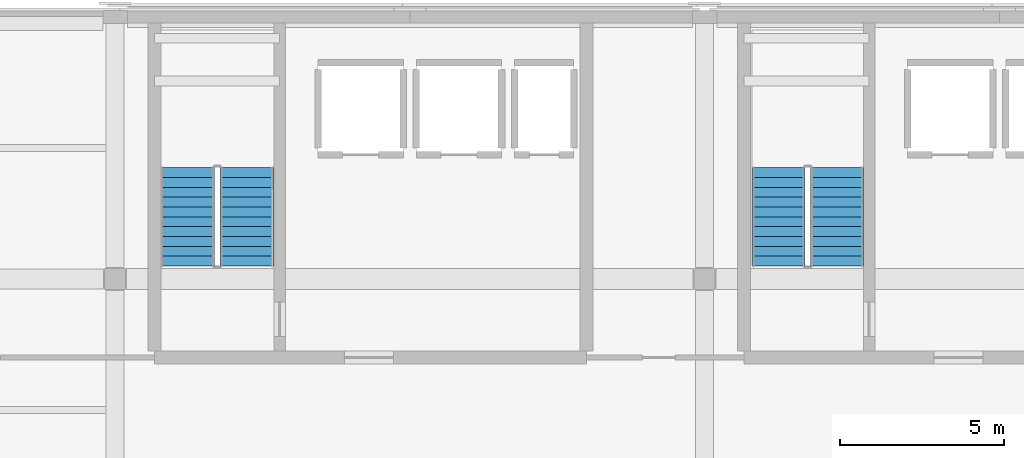
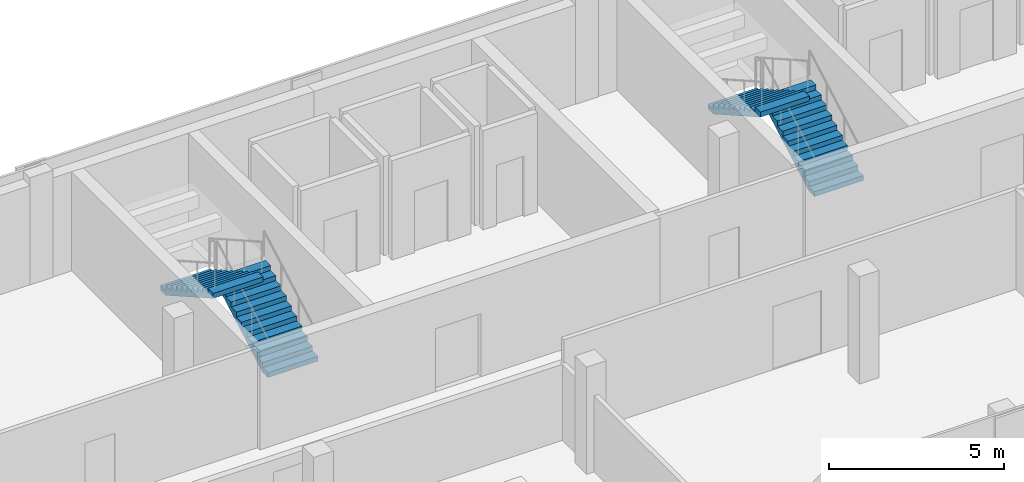
# One storey, part 14 of 23: 4 stair flights, 2 elements without a shape of their own.
"""IFC4 building model written with IfcOpenShell, lengths in metres."""

from ifc_helpers import new_model, si_unit, direction, frame, origin, place, context, subcontext, project, spatial, polyline, outline, extrude, material, type_object, element, aggregate, save


model = new_model("IFC4")

# Units and contexts
model_context = context("Model", 3, precision=1e-05, world=origin(), true_north=direction((0.0, 1.0)))
body_context = subcontext(model_context, "Body", "Model", "MODEL_VIEW")
ifc_project = project(units=[si_unit("LENGTHUNIT", "METRE"), si_unit("AREAUNIT", "SQUARE_METRE"), si_unit("VOLUMEUNIT", "CUBIC_METRE"), si_unit("PLANEANGLEUNIT", "RADIAN"), si_unit("MASSUNIT", "GRAM", prefix="KILO")], contexts=[model_context])

# Site, building, storey
site_placement = place(None, origin())
site = spatial("IfcSite", under=ifc_project, at=site_placement, CompositionType="ELEMENT")
building_placement = place(site_placement, origin())
building = spatial("IfcBuilding", under=site, at=building_placement, Name="Vervanel Yard Central Library", CompositionType="ELEMENT")
storey_placement = place(building_placement, frame((0.0, 0.0, 16.52001953125)))
storey = spatial("IfcBuildingStorey", under=building, at=storey_placement, Name="L04", CompositionType="ELEMENT", Elevation=16.52001953125)

# Stair, stair flights
ifc_material = material(Name="Concrete C40/50", Category="concrete")
stair_type_1 = type_object("IfcStairType", Name="Protected Core Dog-Leg Stair ST-01", PredefinedType="HALF_TURN_STAIR", material=ifc_material)
stair_1_placement = place(storey_placement, origin())
stair_1 = element("IfcStair", 1, at=stair_1_placement, inside=storey, type_object=stair_type_1, Name="L04 CORE-A Protected Exit Stair", PredefinedType="HALF_TURN_STAIR")
stair_flight_type_1 = type_object("IfcStairFlightType", Name="Protected Stair Flight ST-01-FL", PredefinedType="STRAIGHT", material=ifc_material)
stair_flight_1_placement = place(storey_placement, frame((49.02490234375, 106.39990234375, 0.0), z_axis=(0.0, 0.0, 1.0), x_axis=(0.0, 1.0, 0.0)))
stair_flight_1 = element("IfcStairFlight", 2, at=stair_flight_1_placement, type_object=stair_flight_type_1, Name="ST-01 flight 1", NumberOfRisers=11, NumberOfTreads=10, PredefinedType="STRAIGHT", RiserHeight=0.17, TreadLength=0.3, context=body_context, shape_type="SweptSolid", body=[
    extrude(outline(polyline([(0.0, 0.0), (0.0, 0.169921875), (0.300048828125, 0.169921875), (0.300048828125, 0.340087890625), (0.60009765625, 0.340087890625), (0.60009765625, 0.510009765625), (0.89990234375, 0.510009765625), (0.89990234375, 0.679931640625), (1.199951171875, 0.679931640625), (1.199951171875, 0.85009765625), (1.5, 0.85009765625), (1.5, 1.02001953125), (1.800048828125, 1.02001953125), (1.800048828125, 1.18994140625), (2.10009765625, 1.18994140625), (2.10009765625, 1.360107421875), (2.39990234375, 1.360107421875), (2.39990234375, 1.530029296875), (2.699951171875, 1.530029296875), (2.699951171875, 1.699951171875), (3.0, 1.699951171875), (3.0, 1.8701171875), (3.0, 1.527587890625), (0.303955078125, 0.0), (0.0, 0.0)])), frame((0.0, 0.824951171875, 0.0), z_axis=(0.0, -1.0, 0.0), x_axis=(1.0, 0.0, 0.0)), (0.0, 0.0, 1.0), 1.64990234375),
])
stair_flight_2_placement = place(storey_placement, frame((47.215087890625, 109.39990234375, 1.869873046875), z_axis=(0.0, 0.0, 1.0), x_axis=(0.0, -1.0, 0.0)))
stair_flight_2 = element("IfcStairFlight", 3, at=stair_flight_2_placement, type_object=stair_flight_type_1, Name="ST-01 flight 2", NumberOfRisers=11, NumberOfTreads=10, PredefinedType="STRAIGHT", RiserHeight=0.17, TreadLength=0.3, context=body_context, shape_type="SweptSolid", body=[
    extrude(outline(polyline([(0.0, 0.0), (0.0, 0.169921875), (0.300048828125, 0.169921875), (0.300048828125, 0.340087890625), (0.60009765625, 0.340087890625), (0.60009765625, 0.510009765625), (0.89990234375, 0.510009765625), (0.89990234375, 0.679931640625), (1.199951171875, 0.679931640625), (1.199951171875, 0.85009765625), (1.5, 0.85009765625), (1.5, 1.02001953125), (1.800048828125, 1.02001953125), (1.800048828125, 1.18994140625), (2.10009765625, 1.18994140625), (2.10009765625, 1.360107421875), (2.39990234375, 1.360107421875), (2.39990234375, 1.530029296875), (2.699951171875, 1.530029296875), (2.699951171875, 1.699951171875), (3.0, 1.699951171875), (3.0, 1.8701171875), (3.0, 1.527587890625), (0.303955078125, 0.0), (0.0, 0.0)])), frame((0.0, 0.824951171875, 0.0), z_axis=(0.0, -1.0, 0.0), x_axis=(1.0, 0.0, 0.0)), (0.0, 0.0, 1.0), 1.64990234375),
])
aggregate(stair_1, [stair_flight_1, stair_flight_2])

stair_type_2 = type_object("IfcStairType", Name="Protected Core Dog-Leg Stair ST-02", PredefinedType="HALF_TURN_STAIR", material=ifc_material)
stair_2_placement = place(storey_placement, origin())
stair_2 = element("IfcStair", 4, at=stair_2_placement, inside=storey, type_object=stair_type_2, Name="L04 CORE-B Protected Exit Stair", PredefinedType="HALF_TURN_STAIR")
stair_flight_type_2 = type_object("IfcStairFlightType", Name="Protected Stair Flight ST-02-FL", PredefinedType="STRAIGHT", material=ifc_material)
stair_flight_3_placement = place(storey_placement, frame((67.0400390625, 106.39990234375, 0.0), z_axis=(0.0, 0.0, 1.0), x_axis=(0.0, 1.0, 0.0)))
stair_flight_3 = element("IfcStairFlight", 5, at=stair_flight_3_placement, type_object=stair_flight_type_2, Name="ST-02 flight 1", NumberOfRisers=11, NumberOfTreads=10, PredefinedType="STRAIGHT", RiserHeight=0.17, TreadLength=0.3, context=body_context, shape_type="SweptSolid", body=[
    extrude(outline(polyline([(0.0, 0.0), (0.0, 0.169921875), (0.300048828125, 0.169921875), (0.300048828125, 0.340087890625), (0.60009765625, 0.340087890625), (0.60009765625, 0.510009765625), (0.89990234375, 0.510009765625), (0.89990234375, 0.679931640625), (1.199951171875, 0.679931640625), (1.199951171875, 0.85009765625), (1.5, 0.85009765625), (1.5, 1.02001953125), (1.800048828125, 1.02001953125), (1.800048828125, 1.18994140625), (2.10009765625, 1.18994140625), (2.10009765625, 1.360107421875), (2.39990234375, 1.360107421875), (2.39990234375, 1.530029296875), (2.699951171875, 1.530029296875), (2.699951171875, 1.699951171875), (3.0, 1.699951171875), (3.0, 1.8701171875), (3.0, 1.527587890625), (0.303955078125, 0.0), (0.0, 0.0)])), frame((0.0, 0.81005859375, 0.0), z_axis=(0.0, -1.0, 0.0), x_axis=(1.0, 0.0, 0.0)), (0.0, 0.0, 1.0), 1.6201171875),
])
stair_flight_4_placement = place(storey_placement, frame((65.260009765625, 109.39990234375, 1.869873046875), z_axis=(0.0, 0.0, 1.0), x_axis=(0.0, -1.0, 0.0)))
stair_flight_4 = element("IfcStairFlight", 6, at=stair_flight_4_placement, type_object=stair_flight_type_2, Name="ST-02 flight 2", NumberOfRisers=11, NumberOfTreads=10, PredefinedType="STRAIGHT", RiserHeight=0.17, TreadLength=0.3, context=body_context, shape_type="SweptSolid", body=[
    extrude(outline(polyline([(0.0, 0.0), (0.0, 0.169921875), (0.300048828125, 0.169921875), (0.300048828125, 0.340087890625), (0.60009765625, 0.340087890625), (0.60009765625, 0.510009765625), (0.89990234375, 0.510009765625), (0.89990234375, 0.679931640625), (1.199951171875, 0.679931640625), (1.199951171875, 0.85009765625), (1.5, 0.85009765625), (1.5, 1.02001953125), (1.800048828125, 1.02001953125), (1.800048828125, 1.18994140625), (2.10009765625, 1.18994140625), (2.10009765625, 1.360107421875), (2.39990234375, 1.360107421875), (2.39990234375, 1.530029296875), (2.699951171875, 1.530029296875), (2.699951171875, 1.699951171875), (3.0, 1.699951171875), (3.0, 1.8701171875), (3.0, 1.527587890625), (0.303955078125, 0.0), (0.0, 0.0)])), frame((0.0, 0.81005859375, 0.0), z_axis=(0.0, -1.0, 0.0), x_axis=(1.0, 0.0, 0.0)), (0.0, 0.0, 1.0), 1.6201171875),
])
aggregate(stair_2, [stair_flight_3, stair_flight_4])

save(model, "model.ifc")
